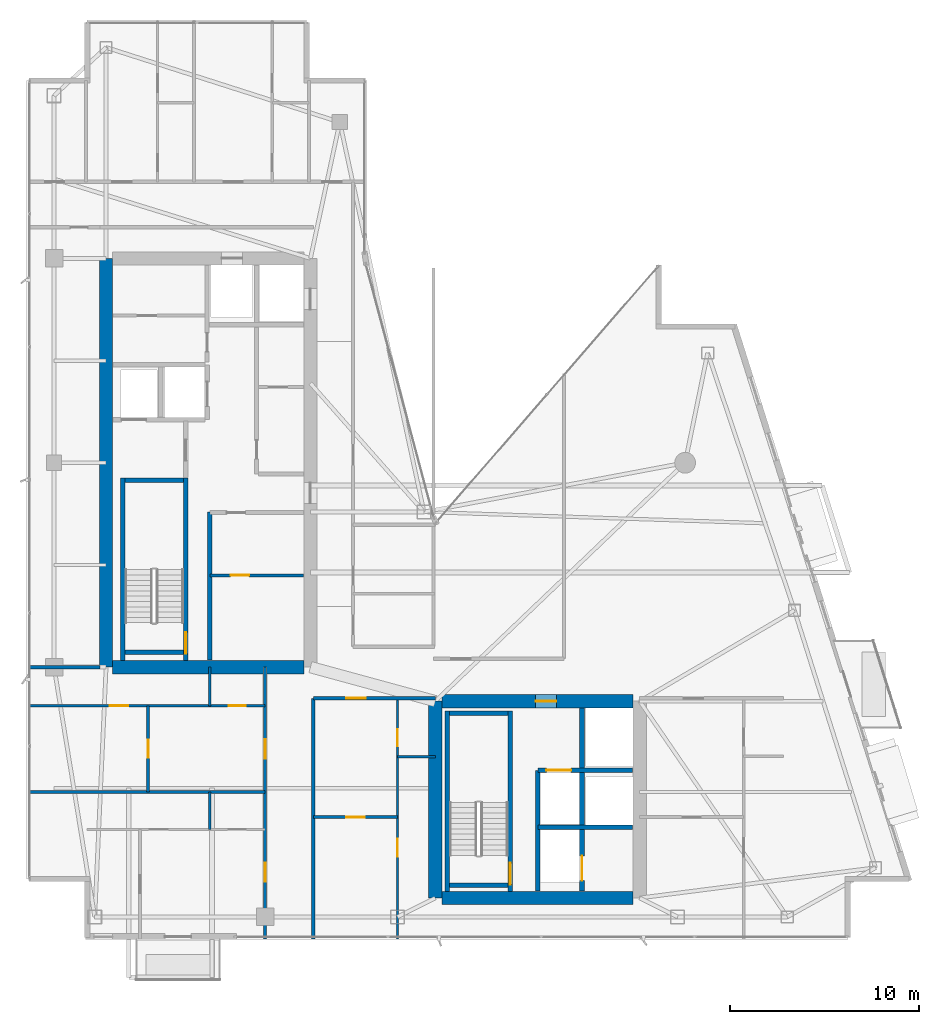
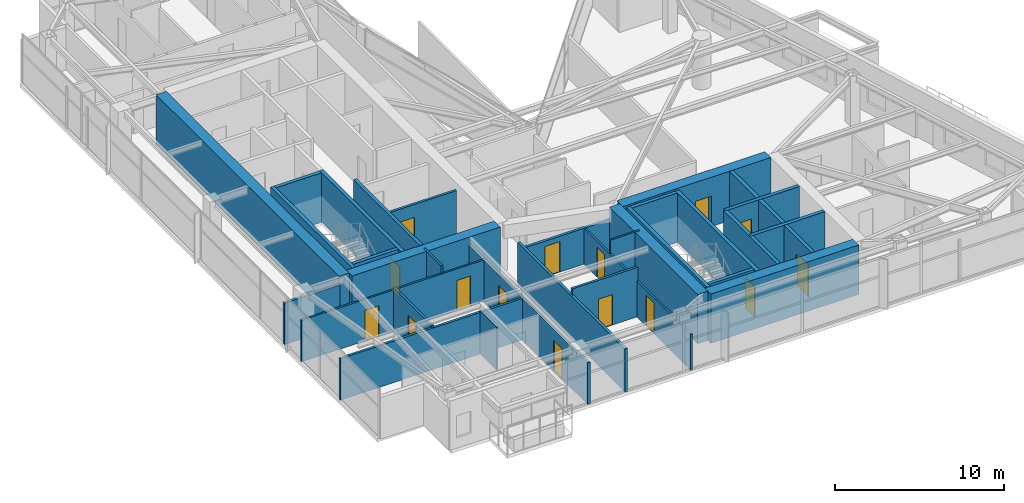
# One storey, part 24 of 29: 31 walls, 15 doors, 15 openings.
"""IFC4 building model written with IfcOpenShell, lengths in metres."""

import ifcopenshell
import ifcopenshell.guid

model = None  # the IFC model being written
_history = None  # IfcOwnerHistory: only IFC2X3 demands one
_inside = {}  # id of a spatial element -> (the spatial element, [elements in it])
_under = {}  # id of a project, library or spatial element -> (it, [spatial elements below it])
_declared = {}  # id of a project -> (the project, [libraries it declares])
_typed = {}  # id of a type object -> (the type object, [elements of that type])
_made_of = {}  # id of a material, layer set ... -> (it, [elements and type objects made of it])


def new_model(schema):
    """Start an empty IFC model of exactly this schema.

    Asked for "IFC4X3", IfcOpenShell would pick the latest addendum, in which some entities
    have other attributes; the version numbers below select the first issue.
    IFC2X3 requires an IfcOwnerHistory on every rooted entity: one is made here for all.
    """
    global model, _history
    if schema == "IFC4X3":
        model = ifcopenshell.file(schema_version=(4, 3, 0, 0))
    else:
        model = ifcopenshell.file(schema=schema)
    _inside.clear()
    _under.clear()
    _declared.clear()
    _typed.clear()
    _made_of.clear()
    _history = None
    if model.schema == "IFC2X3":
        org = make("IfcOrganization", Name="unknown")
        user = make(
            "IfcPersonAndOrganization",
            ThePerson=make("IfcPerson", FamilyName="unknown"),
            TheOrganization=org,
        )
        app = make(
            "IfcApplication",
            ApplicationDeveloper=org,
            Version="unknown",
            ApplicationFullName="unknown",
            ApplicationIdentifier="unknown",
        )
        _history = make(
            "IfcOwnerHistory",
            OwningUser=user,
            OwningApplication=app,
            ChangeAction="ADDED",
            CreationDate=0,
        )
    return model


def make(cls, **values):
    """One entity of the class cls with the attributes given. An attribute that is None is left unset."""
    return model.create_entity(
        cls, **{name: value for name, value in values.items() if value is not None}
    )


def rooted(cls, **values):
    """An entity with a GlobalId (a new one), such as an element, a storey or a relation."""
    return make(cls, GlobalId=ifcopenshell.guid.new(), OwnerHistory=_history, **values)


def si_unit(unit_type, name, prefix=None):
    """IfcSIUnit, for example si_unit("LENGTHUNIT", "METRE", prefix="MILLI")."""
    return make("IfcSIUnit", UnitType=unit_type, Prefix=prefix, Name=name)


def assignment(units):
    """IfcUnitAssignment: the units of a project."""
    return None if units is None else make("IfcUnitAssignment", Units=units)


def point(xyz):
    """IfcCartesianPoint."""
    return None if xyz is None else make("IfcCartesianPoint", Coordinates=xyz)


def direction(xyz):
    """IfcDirection."""
    return None if xyz is None else make("IfcDirection", DirectionRatios=xyz)


def frame(location, z_axis=None, x_axis=None):
    """IfcAxis2Placement3D, a coordinate frame: its origin and axes. An axis left out is left unset."""
    return make(
        "IfcAxis2Placement3D",
        Location=point(location),
        Axis=direction(z_axis),
        RefDirection=direction(x_axis),
    )


def frame_2d(location, x_axis=None):
    """IfcAxis2Placement2D, a coordinate frame in the plane: its origin and x axis."""
    return make(
        "IfcAxis2Placement2D", Location=point(location), RefDirection=direction(x_axis)
    )


def origin():
    """The frame at (0, 0, 0) with its axes left unset."""
    return frame((0.0, 0.0, 0.0))


def place(relative_to, where):
    """IfcLocalPlacement: puts the frame where relative to a parent placement (None: the world)."""
    return make(
        "IfcLocalPlacement", PlacementRelTo=relative_to, RelativePlacement=where
    )


def context(
    kind, dimensions, precision=None, world=None, true_north=None, identifier=None
):
    """IfcGeometricRepresentationContext, for example the 3D "Model" context."""
    return make(
        "IfcGeometricRepresentationContext",
        ContextIdentifier=identifier,
        ContextType=kind,
        CoordinateSpaceDimension=dimensions,
        Precision=precision,
        WorldCoordinateSystem=world,
        TrueNorth=true_north,
    )


def subcontext(parent, identifier, kind, view, scale=None):
    """IfcGeometricRepresentationSubContext, for example "Body" below "Model"."""
    return make(
        "IfcGeometricRepresentationSubContext",
        ContextIdentifier=identifier,
        ContextType=kind,
        ParentContext=parent,
        TargetScale=scale,
        TargetView=view,
    )


def project(units=None, contexts=None):
    """IfcProject with its units and contexts."""
    return rooted(
        "IfcProject",
        Name="project",
        RepresentationContexts=contexts,
        UnitsInContext=assignment(units),
    )


def spatial(cls, under=None, at=None, **own):
    """A site, building, storey or space (cls), placed at a placement, below another one or the project."""
    s = rooted(cls, ObjectPlacement=at, **own)
    if under is not None:
        _under.setdefault(under.id(), (under, []))[1].append(s)
    return s


def profile(cls, at=None, kind="AREA", **sizes):
    """A parametric profile (cls). Its sizes go by their IFC names, for example OverallWidth=200.0."""
    return make(cls, ProfileType=kind, Position=at, **sizes)


def rectangle(**sizes):
    """IfcRectangleProfileDef."""
    return profile("IfcRectangleProfileDef", **sizes)


def extrude(swept, where, along, depth):
    """IfcExtrudedAreaSolid: the profile swept, set in the frame where, extruded along a direction by depth."""
    return make(
        "IfcExtrudedAreaSolid",
        SweptArea=swept,
        Position=where,
        ExtrudedDirection=direction(along),
        Depth=depth,
    )


def shape(context_of_items, identifier, shape_type, items):
    """IfcShapeRepresentation: the items that make up one representation, for example the "Body"."""
    return make(
        "IfcShapeRepresentation",
        ContextOfItems=context_of_items,
        RepresentationIdentifier=identifier,
        RepresentationType=shape_type,
        Items=items,
    )


def material(Name=None, Category=None):
    """IfcMaterial."""
    return make("IfcMaterial", Name=Name, Category=Category)


def layer(
    of_material, thickness, ventilated=None, Name=None, Category=None, Priority=None
):
    """IfcMaterialLayer: one layer of a wall or slab, of a material (None: an air gap)."""
    return make(
        "IfcMaterialLayer",
        Material=of_material,
        LayerThickness=thickness,
        IsVentilated=ventilated,
        Name=Name,
        Category=Category,
        Priority=Priority,
    )


def layer_set(layers, Name=None):
    """IfcMaterialLayerSet."""
    return make("IfcMaterialLayerSet", MaterialLayers=layers, LayerSetName=Name)


def made_of(thing, what):
    """Note that an element or type object is made of a material, layer set ...; save() writes the relation."""
    if what is not None:
        _made_of.setdefault(what.id(), (what, []))[1].append(thing)
    return thing


def type_object(cls, material=None, **own):
    """A type object (cls), such as IfcWallType, which elements share."""
    return made_of(rooted(cls, **own), material)


def element(
    cls,
    number,
    at=None,
    inside=None,
    cuts=None,
    type_object=None,
    material=None,
    context=None,
    identifier="Body",
    shape_type=None,
    held_by="IfcProductDefinitionShape",
    body=None,
    shapes=None,
    **own,
):
    """One element of the class cls, such as IfcWall. Its Tag is "e" and its number.

    at: its placement. inside: the storey or other place that contains it. cuts: it is an
    opening in that element (IfcRelVoidsElement). A single representation is given by context,
    identifier, shape_type and body (its items); several are given by shapes. held_by: the class
    of the entity that holds the representations. save() writes the other relations.
    """
    e = rooted(cls, Tag="e%d" % number, ObjectPlacement=at, **own)
    if body is not None:
        shapes = [shape(context, identifier, shape_type, body)]
    if shapes is not None:
        e.Representation = make(held_by, Representations=shapes)
    if inside is not None:
        _inside.setdefault(inside.id(), (inside, []))[1].append(e)
    if cuts is not None:
        rooted(
            "IfcRelVoidsElement", RelatingBuildingElement=cuts, RelatedOpeningElement=e
        )
    if type_object is not None:
        _typed.setdefault(type_object.id(), (type_object, []))[1].append(e)
    return made_of(e, material)


def fill(opening, filler):
    """IfcRelFillsElement: the door or window that sits in an opening."""
    return rooted(
        "IfcRelFillsElement",
        RelatingOpeningElement=opening,
        RelatedBuildingElement=filler,
    )


def aggregate(whole, parts):
    """IfcRelAggregates: a whole, such as a stair, and the parts it consists of."""
    return rooted("IfcRelAggregates", RelatingObject=whole, RelatedObjects=parts)


def save(model, path):
    """Write the relations noted so far, then the file.

    IfcRelAggregates (storeys below a building ...), IfcRelContainedInSpatialStructure (elements
    in a storey), IfcRelDefinesByType, IfcRelAssociatesMaterial and IfcRelDeclares: one each for
    every whole, place, type object, material and project.
    """
    for whole, parts in _under.values():
        aggregate(whole, parts)
    for where, things in _inside.values():
        rooted(
            "IfcRelContainedInSpatialStructure",
            RelatedElements=things,
            RelatingStructure=where,
        )
    for kind, things in _typed.values():
        rooted("IfcRelDefinesByType", RelatedObjects=things, RelatingType=kind)
    for what, things in _made_of.values():
        rooted("IfcRelAssociatesMaterial", RelatedObjects=things, RelatingMaterial=what)
    for by, libraries in _declared.values():
        rooted("IfcRelDeclares", RelatingContext=by, RelatedDefinitions=libraries)
    model.write(path)


model = new_model("IFC4")

# Units and contexts
model_context = context("Model", 3, precision=1e-05, world=origin(), true_north=direction((0.0, 1.0)))
body_context = subcontext(model_context, "Body", "Model", "MODEL_VIEW")
ifc_project = project(units=[si_unit("LENGTHUNIT", "METRE"), si_unit("AREAUNIT", "SQUARE_METRE"), si_unit("VOLUMEUNIT", "CUBIC_METRE"), si_unit("PLANEANGLEUNIT", "RADIAN"), si_unit("MASSUNIT", "GRAM", prefix="KILO")], contexts=[model_context])

# Site, building, storey
site_placement = place(None, origin())
site = spatial("IfcSite", under=ifc_project, at=site_placement, CompositionType="ELEMENT")
building_placement = place(site_placement, origin())
building = spatial("IfcBuilding", under=site, at=building_placement, Name="Calvorn Quay Hotel", CompositionType="ELEMENT")
storey_placement = place(building_placement, frame((0.0, 0.0, 251.39990234375)))
storey = spatial("IfcBuildingStorey", under=building, at=storey_placement, Name="L62", CompositionType="ELEMENT", Elevation=251.39990234375)

# Walls
ifc_material_1 = material(Name="Concrete C45", Category="concrete")
ifc_layer_1 = layer(ifc_material_1, 0.699951171875)
ifc_layer_set_1 = layer_set([ifc_layer_1], Name="WL-CORE-700")
wall_type_1 = type_object("IfcWallType", Name="WL-CORE-700", PredefinedType="SHEAR", material=ifc_layer_set_1)
wall_1_placement = place(storey_placement, frame((4.199951171875, 16.800048828125, 0.0), z_axis=(0.0, 0.0, 1.0), x_axis=(0.0, 1.0, 0.0)))
element("IfcWall", 1, at=wall_1_placement, inside=storey, type_object=wall_type_1, Name="West Core Shear Wall W (L62)", PredefinedType="SHEAR", context=body_context, shape_type="SweptSolid", body=[
    extrude(rectangle(XDim=21.599853515625, YDim=0.699951171875, at=frame_2d((10.7998046875, 0.0))), origin(), (0.0, 0.0, 1.0), 3.56005859375),
])
wall_2_placement = place(storey_placement, frame((4.550048828125, 16.800048828125, 0.0), z_axis=(0.0, 0.0, 1.0), x_axis=(1.0, 0.0, 0.0)))
element("IfcWall", 2, at=wall_2_placement, inside=storey, type_object=wall_type_1, Name="West Core Shear Wall S (L62)", PredefinedType="SHEAR", context=body_context, shape_type="SweptSolid", body=[
    extrude(rectangle(XDim=10.099853515625, YDim=0.699951171875, at=frame_2d((5.0498046875, 0.0))), origin(), (0.0, 0.0, 1.0), 3.56005859375),
])
wall_3_placement = place(storey_placement, frame((21.60009765625, 4.60009765625, 0.0), z_axis=(0.0, 0.0, 1.0), x_axis=(0.0, 1.0, 0.0)))
element("IfcWall", 3, at=wall_3_placement, inside=storey, type_object=wall_type_1, Name="East Core Shear Wall W (L62)", PredefinedType="SHEAR", context=body_context, shape_type="SweptSolid", body=[
    extrude(rectangle(XDim=10.39990234375, YDim=0.699951171875, at=frame_2d((5.199951171875, 0.0))), origin(), (0.0, 0.0, 1.0), 3.56005859375),
])

# Wall, opening, door
wall_4_placement = place(storey_placement, frame((21.949951171875, 15.0, 0.0), z_axis=(0.0, 0.0, 1.0), x_axis=(1.0, 0.0, 0.0)))
wall_4 = element("IfcWall", 4, at=wall_4_placement, inside=storey, type_object=wall_type_1, Name="East Core Shear Wall N (L62)", PredefinedType="SHEAR", context=body_context, shape_type="SweptSolid", body=[
    extrude(rectangle(XDim=10.10009765625, YDim=0.699951171875, at=frame_2d((5.050048828125, 0.0))), origin(), (0.0, 0.0, 1.0), 3.56005859375),
])
opening_1_placement = place(wall_4_placement, frame((4.949951171875, 0.0, 0.0)))
opening_1 = element("IfcOpeningElement", 5, at=opening_1_placement, cuts=wall_4, Name="Opening D-L62-FLE", PredefinedType="OPENING", context=body_context, shape_type="SweptSolid", body=[
    extrude(rectangle(XDim=1.10009765625, YDim=2.199951171875, at=frame_2d((0.550048828125, 1.10009765625))), frame((0.0, 0.35986328125, 0.0), z_axis=(0.0, -1.0, 0.0), x_axis=(1.0, 0.0, 0.0)), (0.0, 0.0, 1.0), 0.719970703125),
])
ifc_material_2 = material(Name="Smoke-Sealed Steel Class A Fire Door", Category="steel")
door_type_1 = type_object("IfcDoorType", Name="DR-FFLOBBY-1100", OperationType="NOTDEFINED", PredefinedType="DOOR", material=ifc_material_2)
door_1_placement = place(opening_1_placement, origin())
door_1 = element("IfcDoor", 6, at=door_1_placement, inside=storey, type_object=door_type_1, Name="East Firefighting Lobby Fire Door (L62)", OperationType="SINGLE_SWING_RIGHT", OverallHeight=2.199951171875, OverallWidth=1.10009765625, PredefinedType="DOOR", context=body_context, shape_type="SweptSolid", body=[
    extrude(rectangle(XDim=1.10009765625, YDim=2.199951171875, at=frame_2d((0.550048828125, 1.10009765625))), frame((0.0, 0.02490234375, 0.0), z_axis=(0.0, -1.0, 0.0), x_axis=(1.0, 0.0, 0.0)), (0.0, 0.0, 1.0), 0.050048828125),
])
fill(opening_1, door_1)

# Walls
wall_5_placement = place(storey_placement, frame((21.949951171875, 4.60009765625, 0.0), z_axis=(0.0, 0.0, 1.0), x_axis=(1.0, 0.0, 0.0)))
element("IfcWall", 7, at=wall_5_placement, inside=storey, type_object=wall_type_1, Name="East Core Shear Wall S (L62)", PredefinedType="SHEAR", context=body_context, shape_type="SweptSolid", body=[
    extrude(rectangle(XDim=10.10009765625, YDim=0.699951171875, at=frame_2d((5.050048828125, 0.0))), origin(), (0.0, 0.0, 1.0), 3.56005859375),
])
ifc_material_3 = material(Name="Acoustic Fireboard Steel-Stud Partition", Category="steel")
ifc_layer_2 = layer(ifc_material_3, 0.179931640625)
ifc_layer_set_2 = layer_set([ifc_layer_2], Name="WL-CORR-FIRE-180")
wall_type_2 = type_object("IfcWallType", Name="WL-CORR-FIRE-180", PredefinedType="PARTITIONING", material=ifc_layer_set_2)
wall_6_placement = place(storey_placement, frame((0.080078125, 16.800048828125, 0.0), z_axis=(0.0, 0.0, 1.0), x_axis=(1.0, 0.0, 0.0)))
element("IfcWall", 8, at=wall_6_placement, inside=storey, type_object=wall_type_2, Name="Partition Wall L62-WL-WBAY-S-WALL", PredefinedType="PARTITIONING", context=body_context, shape_type="SweptSolid", body=[
    extrude(rectangle(XDim=3.7998046875, YDim=0.179931640625, at=frame_2d((1.89990234375, 0.0))), origin(), (0.0, 0.0, 1.0), 2.989990234375),
])

# Wall, openings, doors
wall_7_placement = place(storey_placement, frame((12.60009765625, 2.43994140625, 0.0), z_axis=(0.0, 0.0, 1.0), x_axis=(0.0, 1.0, 0.0)))
wall_7 = element("IfcWall", 9, at=wall_7_placement, inside=storey, type_object=wall_type_2, Name="Partition Wall L62-WL-CORR-SW-LEG-W", PredefinedType="PARTITIONING", context=body_context, shape_type="SweptSolid", body=[
    extrude(rectangle(XDim=14.360107421875, YDim=0.179931640625, at=frame_2d((7.18017578125, 0.0))), origin(), (0.0, 0.0, 1.0), 2.989990234375),
])
opening_2_placement = place(wall_7_placement, frame((3.010009765625, 0.0, 0.0)))
opening_2 = element("IfcOpeningElement", 10, at=opening_2_placement, cuts=wall_7, Name="Opening D-L62-U01", PredefinedType="OPENING", context=body_context, shape_type="SweptSolid", body=[
    extrude(rectangle(XDim=1.02001953125, YDim=2.199951171875, at=frame_2d((0.510009765625, 1.10009765625))), frame((0.0, 0.099853515625, 0.0), z_axis=(0.0, -1.0, 0.0), x_axis=(1.0, 0.0, 0.0)), (0.0, 0.0, 1.0), 0.199951171875),
])
opening_3_placement = place(wall_7_placement, frame((9.52001953125, 0.0, 0.0)))
opening_3 = element("IfcOpeningElement", 11, at=opening_3_placement, cuts=wall_7, Name="Opening D-L62-U02", PredefinedType="OPENING", context=body_context, shape_type="SweptSolid", body=[
    extrude(rectangle(XDim=1.02001953125, YDim=2.199951171875, at=frame_2d((0.510009765625, 1.10009765625))), frame((0.0, 0.099853515625, 0.0), z_axis=(0.0, -1.0, 0.0), x_axis=(1.0, 0.0, 0.0)), (0.0, 0.0, 1.0), 0.199951171875),
])
ifc_material_4 = material(Name="Solid-Core Walnut Veneer Hotel Fire Door")
door_type_2 = type_object("IfcDoorType", Name="DR-GUEST-ENTRY-1020", OperationType="NOTDEFINED", PredefinedType="DOOR", material=ifc_material_4)
door_2_placement = place(opening_2_placement, origin())
door_2 = element("IfcDoor", 12, at=door_2_placement, inside=storey, type_object=door_type_2, Name="South-West Unit Door U01 (L62)", OperationType="SINGLE_SWING_LEFT", OverallHeight=2.199951171875, OverallWidth=1.02001953125, PredefinedType="DOOR", context=body_context, shape_type="SweptSolid", body=[
    extrude(rectangle(XDim=1.02001953125, YDim=2.199951171875, at=frame_2d((0.510009765625, 1.10009765625))), frame((0.0, 0.02490234375, 0.0), z_axis=(0.0, -1.0, 0.0), x_axis=(1.0, 0.0, 0.0)), (0.0, 0.0, 1.0), 0.050048828125),
])
fill(opening_2, door_2)
door_3_placement = place(opening_3_placement, origin())
door_3 = element("IfcDoor", 13, at=door_3_placement, inside=storey, type_object=door_type_2, Name="South-West Unit Door U02 (L62)", OperationType="SINGLE_SWING_RIGHT", OverallHeight=2.199951171875, OverallWidth=1.02001953125, PredefinedType="DOOR", context=body_context, shape_type="SweptSolid", body=[
    extrude(rectangle(XDim=1.02001953125, YDim=2.199951171875, at=frame_2d((0.510009765625, 1.10009765625))), frame((0.0, 0.02490234375, 0.0), z_axis=(0.0, -1.0, 0.0), x_axis=(1.0, 0.0, 0.0)), (0.0, 0.0, 1.0), 0.050048828125),
])
fill(opening_3, door_3)

# Wall
wall_8_placement = place(storey_placement, frame((15.14990234375, 2.43994140625, 0.0), z_axis=(0.0, 0.0, 1.0), x_axis=(0.0, 1.0, 0.0)))
element("IfcWall", 14, at=wall_8_placement, inside=storey, type_object=wall_type_2, Name="Partition Wall L62-WL-CORR-SW-W", PredefinedType="PARTITIONING", context=body_context, shape_type="SweptSolid", body=[
    extrude(rectangle(XDim=12.7099609375, YDim=0.179931640625, at=frame_2d((6.35498046875, 0.0))), origin(), (0.0, 0.0, 1.0), 3.090087890625),
])

# Wall, opening, door
wall_9_placement = place(storey_placement, frame((15.14990234375, 15.14990234375, 0.0), z_axis=(0.0, 0.0, 1.0), x_axis=(1.0, 0.0, 0.0)))
wall_9 = element("IfcWall", 15, at=wall_9_placement, inside=storey, type_object=wall_type_2, Name="Partition Wall L62-WL-SC-CORR-S", PredefinedType="PARTITIONING", context=body_context, shape_type="SweptSolid", body=[
    extrude(rectangle(XDim=6.4501953125, YDim=0.179931640625, at=frame_2d((3.22509765625, 0.0))), origin(), (0.0, 0.0, 1.0), 2.590087890625),
])
opening_4_placement = place(wall_9_placement, frame((1.739990234375, 0.0, 0.0)))
opening_4 = element("IfcOpeningElement", 16, at=opening_4_placement, cuts=wall_9, Name="Opening D-L62-U03", PredefinedType="OPENING", context=body_context, shape_type="SweptSolid", body=[
    extrude(rectangle(XDim=1.02001953125, YDim=2.199951171875, at=frame_2d((0.510009765625, 1.10009765625))), frame((0.0, 0.099853515625, 0.0), z_axis=(0.0, -1.0, 0.0), x_axis=(1.0, 0.0, 0.0)), (0.0, 0.0, 1.0), 0.199951171875),
])
door_4_placement = place(opening_4_placement, origin())
door_4 = element("IfcDoor", 17, at=door_4_placement, inside=storey, type_object=door_type_2, Name="Harbour Central Unit Door (L62)", OperationType="SINGLE_SWING_LEFT", OverallHeight=2.199951171875, OverallWidth=1.02001953125, PredefinedType="DOOR", context=body_context, shape_type="SweptSolid", body=[
    extrude(rectangle(XDim=1.02001953125, YDim=2.199951171875, at=frame_2d((0.510009765625, 1.10009765625))), frame((0.0, 0.02490234375, 0.0), z_axis=(0.0, -1.0, 0.0), x_axis=(1.0, 0.0, 0.0)), (0.0, 0.0, 1.0), 0.050048828125),
])
fill(opening_4, door_4)

# Walls
ifc_material_5 = material(Name="Moisture-Resistant Tile-Backed Partition")
ifc_layer_3 = layer(ifc_material_5, 0.125)
ifc_layer_set_3 = layer_set([ifc_layer_3], Name="WL-ENSUITE-125")
wall_type_3 = type_object("IfcWallType", Name="WL-ENSUITE-125", PredefinedType="PARTITIONING", material=ifc_layer_set_3)
wall_10_placement = place(storey_placement, frame((9.679931640625, 8.219970703125, 0.0), z_axis=(0.0, 0.0, 1.0), x_axis=(0.0, 1.0, 0.0)))
element("IfcWall", 18, at=wall_10_placement, inside=storey, type_object=wall_type_3, Name="Partition Wall L62-WL-U01-BDV", PredefinedType="PARTITIONING", context=body_context, shape_type="SweptSolid", body=[
    extrude(rectangle(XDim=1.97998046875, YDim=0.125, at=frame_2d((0.989990234375, 0.0))), origin(), (0.0, 0.0, 1.0), 3.090087890625),
])
wall_11_placement = place(storey_placement, frame((9.679931640625, 14.75, 0.0), z_axis=(0.0, 0.0, 1.0), x_axis=(0.0, 1.0, 0.0)))
element("IfcWall", 19, at=wall_11_placement, inside=storey, type_object=wall_type_3, Name="Partition Wall L62-WL-U02-BDV", PredefinedType="PARTITIONING", context=body_context, shape_type="SweptSolid", body=[
    extrude(rectangle(XDim=2.050048828125, YDim=0.125, at=frame_2d((1.02490234375, 0.0))), origin(), (0.0, 0.0, 1.0), 3.56005859375),
])

# Wall, openings, doors
wall_12_placement = place(storey_placement, frame((0.080078125, 14.75, 0.0), z_axis=(0.0, 0.0, 1.0), x_axis=(1.0, 0.0, 0.0)))
wall_12 = element("IfcWall", 20, at=wall_12_placement, inside=storey, type_object=wall_type_3, Name="Partition Wall L62-WL-U02-BH", PredefinedType="PARTITIONING", context=body_context, shape_type="SweptSolid", body=[
    extrude(rectangle(XDim=12.52001953125, YDim=0.125, at=frame_2d((6.260009765625, 0.0))), origin(), (0.0, 0.0, 1.0), 2.989990234375),
])
opening_5_placement = place(wall_12_placement, frame((4.320068359375, 0.0, 0.0)))
opening_5 = element("IfcOpeningElement", 21, at=opening_5_placement, cuts=wall_12, Name="Opening D-L62-S02", PredefinedType="OPENING", context=body_context, shape_type="SweptSolid", body=[
    extrude(rectangle(XDim=0.9599609375, YDim=2.199951171875, at=frame_2d((0.47998046875, 1.10009765625))), frame((0.0, 0.072509765625, 0.0), z_axis=(0.0, -1.0, 0.0), x_axis=(1.0, 0.0, 0.0)), (0.0, 0.0, 1.0), 0.14501953125),
])
opening_6_placement = place(wall_12_placement, frame((10.610107421875, 0.0, 0.0)))
opening_6 = element("IfcOpeningElement", 22, at=opening_6_placement, cuts=wall_12, Name="Opening D-L62-E02", PredefinedType="OPENING", context=body_context, shape_type="SweptSolid", body=[
    extrude(rectangle(XDim=0.89990234375, YDim=2.14990234375, at=frame_2d((0.449951171875, 1.074951171875))), frame((0.0, 0.072509765625, 0.0), z_axis=(0.0, -1.0, 0.0), x_axis=(1.0, 0.0, 0.0)), (0.0, 0.0, 1.0), 0.14501953125),
])
ifc_material_6 = material(Name="Moisture-Sealed Timber En-Suite Door", Category="wood")
door_type_3 = type_object("IfcDoorType", Name="DR-ENSUITE-900", OperationType="NOTDEFINED", PredefinedType="DOOR", material=ifc_material_6)
door_5_placement = place(opening_6_placement, origin())
door_5 = element("IfcDoor", 23, at=door_5_placement, inside=storey, type_object=door_type_3, Name="En-Suite Door 02", OperationType="SINGLE_SWING_RIGHT", OverallHeight=2.14990234375, OverallWidth=0.89990234375, PredefinedType="DOOR", context=body_context, shape_type="SweptSolid", body=[
    extrude(rectangle(XDim=0.89990234375, YDim=2.14990234375, at=frame_2d((0.449951171875, 1.074951171875))), frame((0.0, 0.02490234375, 0.0), z_axis=(0.0, -1.0, 0.0), x_axis=(1.0, 0.0, 0.0)), (0.0, 0.0, 1.0), 0.050048828125),
])
fill(opening_6, door_5)
ifc_material_7 = material(Name="Solid Timber Internal Suite Door", Category="wood")
door_type_4 = type_object("IfcDoorType", Name="DR-SUITE-INT-960", OperationType="NOTDEFINED", PredefinedType="DOOR", material=ifc_material_7)
door_6_placement = place(opening_5_placement, origin())
door_6 = element("IfcDoor", 24, at=door_6_placement, inside=storey, type_object=door_type_4, Name="Curated Resort Boutique Door 02", OperationType="SINGLE_SWING_LEFT", OverallHeight=2.199951171875, OverallWidth=0.9599609375, PredefinedType="DOOR", context=body_context, shape_type="SweptSolid", body=[
    extrude(rectangle(XDim=0.9599609375, YDim=2.199951171875, at=frame_2d((0.47998046875, 1.10009765625))), frame((0.0, 0.02490234375, 0.0), z_axis=(0.0, -1.0, 0.0), x_axis=(1.0, 0.0, 0.0)), (0.0, 0.0, 1.0), 0.050048828125),
])
fill(opening_5, door_6)

# Wall
wall_13_placement = place(storey_placement, frame((19.60009765625, 12.070068359375, 0.0), z_axis=(0.0, 0.0, 1.0), x_axis=(1.0, 0.0, 0.0)))
element("IfcWall", 25, at=wall_13_placement, inside=storey, type_object=wall_type_3, Name="Partition Wall L62-WL-U03-BDV", PredefinedType="PARTITIONING", context=body_context, shape_type="SweptSolid", body=[
    extrude(rectangle(XDim=2.0, YDim=0.125, at=frame_2d((1.0, 0.0))), origin(), (0.0, 0.0, 1.0), 3.56005859375),
])

# Wall, openings, doors
wall_14_placement = place(storey_placement, frame((19.60009765625, 2.43994140625, 0.0), z_axis=(0.0, 0.0, 1.0), x_axis=(0.0, 1.0, 0.0)))
wall_14 = element("IfcWall", 26, at=wall_14_placement, inside=storey, type_object=wall_type_3, Name="Partition Wall L62-WL-U03-BV", PredefinedType="PARTITIONING", context=body_context, shape_type="SweptSolid", body=[
    extrude(rectangle(XDim=12.7099609375, YDim=0.125, at=frame_2d((6.35498046875, 0.0))), origin(), (0.0, 0.0, 1.0), 2.590087890625),
])
opening_7_placement = place(wall_14_placement, frame((4.340087890625, 0.0, 0.0)))
opening_7 = element("IfcOpeningElement", 27, at=opening_7_placement, cuts=wall_14, Name="Opening D-L62-S03", PredefinedType="OPENING", context=body_context, shape_type="SweptSolid", body=[
    extrude(rectangle(XDim=0.9599609375, YDim=2.199951171875, at=frame_2d((0.47998046875, 1.10009765625))), frame((0.0, 0.072509765625, 0.0), z_axis=(0.0, -1.0, 0.0), x_axis=(1.0, 0.0, 0.0)), (0.0, 0.0, 1.0), 0.14501953125),
])
opening_8_placement = place(wall_14_placement, frame((10.179931640625, 0.0, 0.0)))
opening_8 = element("IfcOpeningElement", 28, at=opening_8_placement, cuts=wall_14, Name="Opening D-L62-E03", PredefinedType="OPENING", context=body_context, shape_type="SweptSolid", body=[
    extrude(rectangle(XDim=0.89990234375, YDim=2.14990234375, at=frame_2d((0.449951171875, 1.074951171875))), frame((0.0, 0.072509765625, 0.0), z_axis=(0.0, -1.0, 0.0), x_axis=(1.0, 0.0, 0.0)), (0.0, 0.0, 1.0), 0.14501953125),
])
door_7_placement = place(opening_8_placement, origin())
door_7 = element("IfcDoor", 29, at=door_7_placement, inside=storey, type_object=door_type_3, Name="En-Suite Door 03", OperationType="SINGLE_SWING_RIGHT", OverallHeight=2.14990234375, OverallWidth=0.89990234375, PredefinedType="DOOR", context=body_context, shape_type="SweptSolid", body=[
    extrude(rectangle(XDim=0.89990234375, YDim=2.14990234375, at=frame_2d((0.449951171875, 1.074951171875))), frame((0.0, 0.02490234375, 0.0), z_axis=(0.0, -1.0, 0.0), x_axis=(1.0, 0.0, 0.0)), (0.0, 0.0, 1.0), 0.050048828125),
])
fill(opening_8, door_7)
door_8_placement = place(opening_7_placement, origin())
door_8 = element("IfcDoor", 30, at=door_8_placement, inside=storey, type_object=door_type_4, Name="Curated Resort Boutique Door 03", OperationType="SINGLE_SWING_LEFT", OverallHeight=2.199951171875, OverallWidth=0.9599609375, PredefinedType="DOOR", context=body_context, shape_type="SweptSolid", body=[
    extrude(rectangle(XDim=0.9599609375, YDim=2.199951171875, at=frame_2d((0.47998046875, 1.10009765625))), frame((0.0, 0.02490234375, 0.0), z_axis=(0.0, -1.0, 0.0), x_axis=(1.0, 0.0, 0.0)), (0.0, 0.0, 1.0), 0.050048828125),
])
fill(opening_7, door_8)

# Wall, opening, door
ifc_material_8 = material(Name="Double-Stud Acoustic Gypsum Partition")
ifc_layer_4 = layer(ifc_material_8, 0.159912109375)
ifc_layer_set_4 = layer_set([ifc_layer_4], Name="WL-INTERSUITE-160")
wall_type_4 = type_object("IfcWallType", Name="WL-INTERSUITE-160", PredefinedType="PARTITIONING", material=ifc_layer_set_4)
wall_15_placement = place(storey_placement, frame((9.679931640625, 21.64990234375, 0.0), z_axis=(0.0, 0.0, 1.0), x_axis=(1.0, 0.0, 0.0)))
wall_15 = element("IfcWall", 31, at=wall_15_placement, inside=storey, type_object=wall_type_4, Name="Partition Wall L62-WL-CWW-FR-SPLIT", PredefinedType="PARTITIONING", context=body_context, shape_type="SweptSolid", body=[
    extrude(rectangle(XDim=4.949951171875, YDim=0.159912109375, at=frame_2d((2.47509765625, 0.0))), origin(), (0.0, 0.0, 1.0), 3.090087890625),
])
opening_9_placement = place(wall_15_placement, frame((1.10009765625, 0.0, 0.0)))
opening_9 = element("IfcOpeningElement", 32, at=opening_9_placement, cuts=wall_15, Name="Opening D-L62-FRL1", PredefinedType="OPENING", context=body_context, shape_type="SweptSolid", body=[
    extrude(rectangle(XDim=0.97998046875, YDim=2.14990234375, at=frame_2d((0.489990234375, 1.074951171875))), frame((0.0, 0.08984375, 0.0), z_axis=(0.0, -1.0, 0.0), x_axis=(1.0, 0.0, 0.0)), (0.0, 0.0, 1.0), 0.179931640625),
])
ifc_material_9 = material(Name="Painted Steel Housekeeping/Riser Fire Door", Category="steel")
door_type_5 = type_object("IfcDoorType", Name="DR-SERVICE-980", OperationType="NOTDEFINED", PredefinedType="DOOR", material=ifc_material_9)
door_9_placement = place(opening_9_placement, origin())
door_9 = element("IfcDoor", 33, at=door_9_placement, inside=storey, type_object=door_type_5, Name="Linen Store Room Door (L62)", OperationType="SINGLE_SWING_LEFT", OverallHeight=2.14990234375, OverallWidth=0.97998046875, PredefinedType="DOOR", context=body_context, shape_type="SweptSolid", body=[
    extrude(rectangle(XDim=0.97998046875, YDim=2.14990234375, at=frame_2d((0.489990234375, 1.074951171875))), frame((0.0, 0.02490234375, 0.0), z_axis=(0.0, -1.0, 0.0), x_axis=(1.0, 0.0, 0.0)), (0.0, 0.0, 1.0), 0.050048828125),
])
fill(opening_9, door_9)

wall_16_placement = place(storey_placement, frame((6.419921875, 10.199951171875, 0.0), z_axis=(0.0, 0.0, 1.0), x_axis=(0.0, 1.0, 0.0)))
wall_16 = element("IfcWall", 34, at=wall_16_placement, inside=storey, type_object=wall_type_4, Name="Partition Wall L62-WL-U02-MSP", PredefinedType="PARTITIONING", context=body_context, shape_type="SweptSolid", body=[
    extrude(rectangle(XDim=4.550048828125, YDim=0.159912109375, at=frame_2d((2.27490234375, 0.0))), origin(), (0.0, 0.0, 1.0), 3.14013671875),
])
opening_10_placement = place(wall_16_placement, frame((1.800048828125, 0.0, 0.0)))
opening_10 = element("IfcOpeningElement", 35, at=opening_10_placement, cuts=wall_16, Name="Opening D-L62-M02", PredefinedType="OPENING", context=body_context, shape_type="SweptSolid", body=[
    extrude(rectangle(XDim=0.9599609375, YDim=2.199951171875, at=frame_2d((0.47998046875, 1.10009765625))), frame((0.0, 0.08984375, 0.0), z_axis=(0.0, -1.0, 0.0), x_axis=(1.0, 0.0, 0.0)), (0.0, 0.0, 1.0), 0.179931640625),
])
door_10_placement = place(opening_10_placement, origin())
door_10 = element("IfcDoor", 36, at=door_10_placement, inside=storey, type_object=door_type_4, Name="Suite Bedroom Door 02", OperationType="SINGLE_SWING_LEFT", OverallHeight=2.199951171875, OverallWidth=0.9599609375, PredefinedType="DOOR", context=body_context, shape_type="SweptSolid", body=[
    extrude(rectangle(XDim=0.9599609375, YDim=2.199951171875, at=frame_2d((0.47998046875, 1.10009765625))), frame((0.0, 0.02490234375, 0.0), z_axis=(0.0, -1.0, 0.0), x_axis=(1.0, 0.0, 0.0)), (0.0, 0.0, 1.0), 0.050048828125),
])
fill(opening_10, door_10)

# Wall
wall_17_placement = place(storey_placement, frame((0.080078125, 10.199951171875, 0.0), z_axis=(0.0, 0.0, 1.0), x_axis=(1.0, 0.0, 0.0)))
element("IfcWall", 37, at=wall_17_placement, inside=storey, type_object=wall_type_4, Name="Partition Wall L62-WL-SW-DIV-1", PredefinedType="PARTITIONING", context=body_context, shape_type="SweptSolid", body=[
    extrude(rectangle(XDim=12.52001953125, YDim=0.159912109375, at=frame_2d((6.260009765625, 0.0))), origin(), (0.0, 0.0, 1.0), 2.989990234375),
])

# Wall, opening, door
wall_18_placement = place(storey_placement, frame((15.14990234375, 8.8701171875, 0.0), z_axis=(0.0, 0.0, 1.0), x_axis=(1.0, 0.0, 0.0)))
wall_18 = element("IfcWall", 38, at=wall_18_placement, inside=storey, type_object=wall_type_4, Name="Partition Wall L62-WL-U03-MSP", PredefinedType="PARTITIONING", context=body_context, shape_type="SweptSolid", body=[
    extrude(rectangle(XDim=4.4501953125, YDim=0.159912109375, at=frame_2d((2.22509765625, 0.0))), origin(), (0.0, 0.0, 1.0), 3.56005859375),
])
opening_11_placement = place(wall_18_placement, frame((1.75, 0.0, 0.0)))
opening_11 = element("IfcOpeningElement", 39, at=opening_11_placement, cuts=wall_18, Name="Opening D-L62-M03", PredefinedType="OPENING", context=body_context, shape_type="SweptSolid", body=[
    extrude(rectangle(XDim=0.9599609375, YDim=2.199951171875, at=frame_2d((0.47998046875, 1.10009765625))), frame((0.0, 0.08984375, 0.0), z_axis=(0.0, -1.0, 0.0), x_axis=(1.0, 0.0, 0.0)), (0.0, 0.0, 1.0), 0.179931640625),
])
door_11_placement = place(opening_11_placement, origin())
door_11 = element("IfcDoor", 40, at=door_11_placement, inside=storey, type_object=door_type_4, Name="Suite Bedroom Door 03", OperationType="SINGLE_SWING_LEFT", OverallHeight=2.199951171875, OverallWidth=0.9599609375, PredefinedType="DOOR", context=body_context, shape_type="SweptSolid", body=[
    extrude(rectangle(XDim=0.9599609375, YDim=2.199951171875, at=frame_2d((0.47998046875, 1.10009765625))), frame((0.0, 0.02490234375, 0.0), z_axis=(0.0, -1.0, 0.0), x_axis=(1.0, 0.0, 0.0)), (0.0, 0.0, 1.0), 0.050048828125),
])
fill(opening_11, door_11)

# Walls
ifc_material_10 = material(Name="Autoclaved Aerated Masonry Block", Category="masonry")
ifc_layer_5 = layer(ifc_material_10, 0.219970703125)
ifc_layer_set_5 = layer_set([ifc_layer_5], Name="WL-LOBBY-FIRE-220")
wall_type_5 = type_object("IfcWallType", Name="WL-LOBBY-FIRE-220", PredefinedType="SOLIDWALL", material=ifc_layer_set_5)
wall_19_placement = place(storey_placement, frame((9.679931640625, 17.169921875, 0.0), z_axis=(0.0, 0.0, 1.0), x_axis=(0.0, 1.0, 0.0)))
element("IfcWall", 41, at=wall_19_placement, inside=storey, type_object=wall_type_5, Name="Partition Wall L62-WL-CWW-STW-HALL-E", PredefinedType="SOLIDWALL", context=body_context, shape_type="SweptSolid", body=[
    extrude(rectangle(XDim=7.830078125, YDim=0.219970703125, at=frame_2d((3.9150390625, 0.0))), origin(), (0.0, 0.0, 1.0), 3.56005859375),
])
ifc_material_11 = material(Name="Concrete C40", Category="concrete")
ifc_layer_6 = layer(ifc_material_11, 0.239990234375)
ifc_layer_set_6 = layer_set([ifc_layer_6], Name="WL-SHAFT-240")
wall_type_6 = type_object("IfcWallType", Name="WL-SHAFT-240", PredefinedType="SOLIDWALL", material=ifc_layer_set_6)
wall_20_placement = place(storey_placement, frame((5.080078125, 17.14990234375, 0.0), z_axis=(0.0, 0.0, 1.0), x_axis=(0.0, 1.0, 0.0)))
element("IfcWall", 42, at=wall_20_placement, inside=storey, type_object=wall_type_6, Name="Stair STW Shaft Wall W (L62)", PredefinedType="SOLIDWALL", context=body_context, shape_type="SweptSolid", body=[
    extrude(rectangle(XDim=9.64013671875, YDim=0.239990234375, at=frame_2d((4.820068359375, 0.0))), origin(), (0.0, 0.0, 1.0), 3.56005859375),
])

# Wall, opening, door
wall_21_placement = place(storey_placement, frame((8.419921875, 17.14990234375, 0.0), z_axis=(0.0, 0.0, 1.0), x_axis=(0.0, 1.0, 0.0)))
wall_21 = element("IfcWall", 43, at=wall_21_placement, inside=storey, type_object=wall_type_6, Name="Stair STW Shaft Wall E (L62)", PredefinedType="SOLIDWALL", context=body_context, shape_type="SweptSolid", body=[
    extrude(rectangle(XDim=9.64013671875, YDim=0.239990234375, at=frame_2d((4.820068359375, 0.0))), origin(), (0.0, 0.0, 1.0), 3.56005859375),
])
opening_12_placement = place(wall_21_placement, frame((0.35009765625, 0.0, 0.0)))
opening_12 = element("IfcOpeningElement", 44, at=opening_12_placement, cuts=wall_21, Name="Opening D-L62-STW", PredefinedType="OPENING", context=body_context, shape_type="SweptSolid", body=[
    extrude(rectangle(XDim=1.14990234375, YDim=2.199951171875, at=frame_2d((0.574951171875, 1.10009765625))), frame((0.0, 0.1298828125, 0.0), z_axis=(0.0, -1.0, 0.0), x_axis=(1.0, 0.0, 0.0)), (0.0, 0.0, 1.0), 0.260009765625),
])
ifc_material_12 = material(Name="Galvanised Steel Class A Fire Door", Category="steel")
door_type_6 = type_object("IfcDoorType", Name="DR-STAIR-SMOKE-1150", OperationType="NOTDEFINED", PredefinedType="DOOR", material=ifc_material_12)
door_12_placement = place(opening_12_placement, origin())
door_12 = element("IfcDoor", 45, at=door_12_placement, inside=storey, type_object=door_type_6, Name="Stair ST-W Fire Door (L62)", OperationType="SINGLE_SWING_LEFT", OverallHeight=2.199951171875, OverallWidth=1.14990234375, PredefinedType="DOOR", context=body_context, shape_type="SweptSolid", body=[
    extrude(rectangle(XDim=1.14990234375, YDim=2.199951171875, at=frame_2d((0.574951171875, 1.10009765625))), frame((0.0, 0.02490234375, 0.0), z_axis=(0.0, -1.0, 0.0), x_axis=(1.0, 0.0, 0.0)), (0.0, 0.0, 1.0), 0.050048828125),
])
fill(opening_12, door_12)

# Walls
for number, where, z_axis, x_axis, name in (
    (46, (5.199951171875, 17.580078125, 0.0), (0.0, 0.0, 1.0), (1.0, 0.0, 0.0), "Stair STW Shaft Wall S (L62)"),
    (47, (5.199951171875, 26.669921875, 0.0), (0.0, 0.0, 1.0), (1.0, 0.0, 0.0), "Stair STW Shaft Wall N (L62)"),
):
    element("IfcWall", number, at=place(storey_placement, frame(where, z_axis=z_axis, x_axis=x_axis)), inside=storey, type_object=wall_type_6, Name=name, PredefinedType="SOLIDWALL", context=body_context, shape_type="SweptSolid", body=[
        extrude(rectangle(XDim=3.10009765625, YDim=0.239990234375, at=frame_2d((1.550048828125, 0.0))), origin(), (0.0, 0.0, 1.0), 3.56005859375),
    ])
wall_22_placement = place(storey_placement, frame((22.22998046875, 4.949951171875, 0.0), z_axis=(0.0, 0.0, 1.0), x_axis=(0.0, 1.0, 0.0)))
element("IfcWall", 48, at=wall_22_placement, inside=storey, type_object=wall_type_6, Name="Stair STE Shaft Wall W (L62)", PredefinedType="SOLIDWALL", context=body_context, shape_type="SweptSolid", body=[
    extrude(rectangle(XDim=9.5400390625, YDim=0.239990234375, at=frame_2d((4.77001953125, 0.0))), origin(), (0.0, 0.0, 1.0), 3.56005859375),
])

# Wall, opening, door
wall_23_placement = place(storey_placement, frame((25.570068359375, 4.949951171875, 0.0), z_axis=(0.0, 0.0, 1.0), x_axis=(0.0, 1.0, 0.0)))
wall_23 = element("IfcWall", 49, at=wall_23_placement, inside=storey, type_object=wall_type_6, Name="Stair STE Shaft Wall E (L62)", PredefinedType="SOLIDWALL", context=body_context, shape_type="SweptSolid", body=[
    extrude(rectangle(XDim=9.5400390625, YDim=0.239990234375, at=frame_2d((4.77001953125, 0.0))), origin(), (0.0, 0.0, 1.0), 3.56005859375),
])
opening_13_placement = place(wall_23_placement, frame((0.35009765625, 0.0, 0.0)))
opening_13 = element("IfcOpeningElement", 50, at=opening_13_placement, cuts=wall_23, Name="Opening D-L62-STE", PredefinedType="OPENING", context=body_context, shape_type="SweptSolid", body=[
    extrude(rectangle(XDim=1.14990234375, YDim=2.199951171875, at=frame_2d((0.574951171875, 1.10009765625))), frame((0.0, 0.1298828125, 0.0), z_axis=(0.0, -1.0, 0.0), x_axis=(1.0, 0.0, 0.0)), (0.0, 0.0, 1.0), 0.260009765625),
])
door_13_placement = place(opening_13_placement, origin())
door_13 = element("IfcDoor", 51, at=door_13_placement, inside=storey, type_object=door_type_6, Name="Stair ST-E Fire Door (L62)", OperationType="SINGLE_SWING_RIGHT", OverallHeight=2.199951171875, OverallWidth=1.14990234375, PredefinedType="DOOR", context=body_context, shape_type="SweptSolid", body=[
    extrude(rectangle(XDim=1.14990234375, YDim=2.199951171875, at=frame_2d((0.574951171875, 1.10009765625))), frame((0.0, 0.02490234375, 0.0), z_axis=(0.0, -1.0, 0.0), x_axis=(1.0, 0.0, 0.0)), (0.0, 0.0, 1.0), 0.050048828125),
])
fill(opening_13, door_13)

# Walls
for number, where, z_axis, x_axis, name in (
    (52, (22.35009765625, 5.280029296875, 0.0), (0.0, 0.0, 1.0), (1.0, 0.0, 0.0), "Stair STE Shaft Wall S (L62)"),
    (53, (22.35009765625, 14.3701171875, 0.0), (0.0, 0.0, 1.0), (1.0, 0.0, 0.0), "Stair STE Shaft Wall N (L62)"),
):
    element("IfcWall", number, at=place(storey_placement, frame(where, z_axis=z_axis, x_axis=x_axis)), inside=storey, type_object=wall_type_6, Name=name, PredefinedType="SOLIDWALL", context=body_context, shape_type="SweptSolid", body=[
        extrude(rectangle(XDim=3.099853515625, YDim=0.239990234375, at=frame_2d((1.5498046875, 0.0))), origin(), (0.0, 0.0, 1.0), 3.56005859375),
    ])
wall_24_placement = place(storey_placement, frame((27.02001953125, 4.969970703125, 0.0), z_axis=(0.0, 0.0, 1.0), x_axis=(0.0, 1.0, 0.0)))
element("IfcWall", 54, at=wall_24_placement, inside=storey, type_object=wall_type_6, Name="Partition Wall L62-WL-CWE-SH-W", PredefinedType="SOLIDWALL", context=body_context, shape_type="SweptSolid", body=[
    extrude(rectangle(XDim=6.380126953125, YDim=0.239990234375, at=frame_2d((3.18994140625, 0.0))), origin(), (0.0, 0.0, 1.0), 3.56005859375),
])

# Wall, opening, door
wall_25_placement = place(storey_placement, frame((27.02001953125, 11.35009765625, 0.0), z_axis=(0.0, 0.0, 1.0), x_axis=(1.0, 0.0, 0.0)))
wall_25 = element("IfcWall", 55, at=wall_25_placement, inside=storey, type_object=wall_type_6, Name="Partition Wall L62-WL-CWE-FFL-S", PredefinedType="SOLIDWALL", context=body_context, shape_type="SweptSolid", body=[
    extrude(rectangle(XDim=5.010009765625, YDim=0.239990234375, at=frame_2d((2.5048828125, 0.0))), origin(), (0.0, 0.0, 1.0), 3.56005859375),
])
opening_14_placement = place(wall_25_placement, frame((0.449951171875, 0.0, 0.0)))
opening_14 = element("IfcOpeningElement", 56, at=opening_14_placement, cuts=wall_25, Name="Opening LD-L62-FLE1", PredefinedType="OPENING", context=body_context, shape_type="SweptSolid", body=[
    extrude(rectangle(XDim=1.300048828125, YDim=2.35009765625, at=frame_2d((0.64990234375, 1.175048828125))), frame((0.0, 0.1298828125, 0.0), z_axis=(0.0, -1.0, 0.0), x_axis=(1.0, 0.0, 0.0)), (0.0, 0.0, 1.0), 0.260009765625),
])
ifc_material_13 = material(Name="Champagne-Bronze Sliding Express Lift Landing Door")
door_type_7 = type_object("IfcDoorType", Name="DR-LIFT-SHUTTLE-1300", OperationType="NOTDEFINED", PredefinedType="DOOR", material=ifc_material_13)
door_14_placement = place(opening_14_placement, origin())
door_14 = element("IfcDoor", 57, at=door_14_placement, inside=storey, type_object=door_type_7, Name="Firefighting Lift FL-E1 Landing Door (L62)", OperationType="DOUBLE_DOOR_SLIDING", OverallHeight=2.35009765625, OverallWidth=1.300048828125, PredefinedType="DOOR", context=body_context, shape_type="SweptSolid", body=[
    extrude(rectangle(XDim=1.300048828125, YDim=2.35009765625, at=frame_2d((0.64990234375, 1.175048828125))), frame((0.0, 0.02490234375, 0.0), z_axis=(0.0, -1.0, 0.0), x_axis=(1.0, 0.0, 0.0)), (0.0, 0.0, 1.0), 0.050048828125),
])
fill(opening_14, door_14)

# Wall
wall_26_placement = place(storey_placement, frame((27.02001953125, 8.35009765625, 0.0), z_axis=(0.0, 0.0, 1.0), x_axis=(1.0, 0.0, 0.0)))
element("IfcWall", 58, at=wall_26_placement, inside=storey, type_object=wall_type_6, Name="Partition Wall L62-WL-CWE-SL-N", PredefinedType="SOLIDWALL", context=body_context, shape_type="SweptSolid", body=[
    extrude(rectangle(XDim=5.010009765625, YDim=0.239990234375, at=frame_2d((2.5048828125, 0.0))), origin(), (0.0, 0.0, 1.0), 3.56005859375),
])

# Wall, opening, door
wall_27_placement = place(storey_placement, frame((29.35009765625, 4.969970703125, 0.0), z_axis=(0.0, 0.0, 1.0), x_axis=(0.0, 1.0, 0.0)))
wall_27 = element("IfcWall", 59, at=wall_27_placement, inside=storey, type_object=wall_type_6, Name="Partition Wall L62-WL-CWE-OB-W", PredefinedType="SOLIDWALL", context=body_context, shape_type="SweptSolid", body=[
    extrude(rectangle(XDim=9.659912109375, YDim=0.239990234375, at=frame_2d((4.830078125, 0.0))), origin(), (0.0, 0.0, 1.0), 3.56005859375),
])
opening_15_placement = place(wall_27_placement, frame((0.550048828125, 0.0, 0.0)))
opening_15 = element("IfcOpeningElement", 60, at=opening_15_placement, cuts=wall_27, Name="Opening LD-L62-SLEI", PredefinedType="OPENING", context=body_context, shape_type="SweptSolid", body=[
    extrude(rectangle(XDim=1.300048828125, YDim=2.35009765625, at=frame_2d((0.64990234375, 1.175048828125))), frame((0.0, 0.1298828125, 0.0), z_axis=(0.0, -1.0, 0.0), x_axis=(1.0, 0.0, 0.0)), (0.0, 0.0, 1.0), 0.260009765625),
])
door_15_placement = place(opening_15_placement, origin())
door_15 = element("IfcDoor", 61, at=door_15_placement, inside=storey, type_object=door_type_7, Name="Service Lift SL-E1 Landing Door (L62)", OperationType="DOUBLE_DOOR_SLIDING", OverallHeight=2.35009765625, OverallWidth=1.300048828125, PredefinedType="DOOR", context=body_context, shape_type="SweptSolid", body=[
    extrude(rectangle(XDim=1.300048828125, YDim=2.35009765625, at=frame_2d((0.64990234375, 1.175048828125))), frame((0.0, 0.02490234375, 0.0), z_axis=(0.0, -1.0, 0.0), x_axis=(1.0, 0.0, 0.0)), (0.0, 0.0, 1.0), 0.050048828125),
])
fill(opening_15, door_15)

save(model, "model.ifc")
